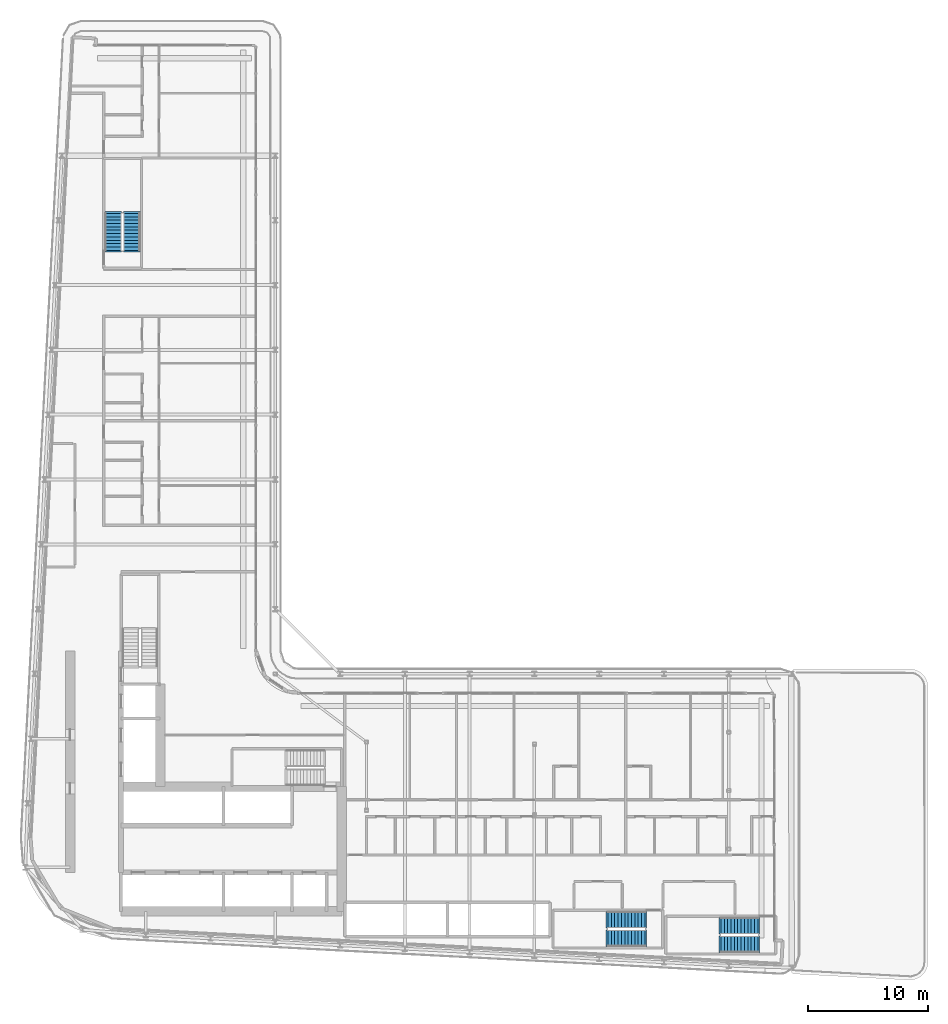
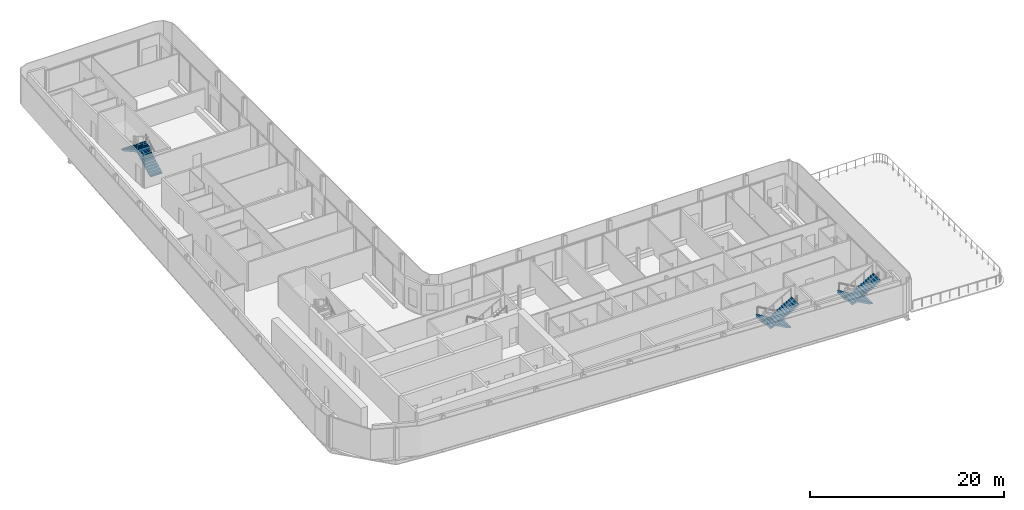
# One storey, part 19 of 27: 6 stair flights, 3 elements without a shape of their own.
"""IFC4 building model written with IfcOpenShell, lengths in metres."""

from ifc_helpers import new_model, si_unit, direction, frame, origin, place, context, subcontext, project, spatial, polyline, outline, extrude, material, layer, layer_set, type_object, element, aggregate, save


model = new_model("IFC4")

# Units and contexts
model_context = context("Model", 3, precision=1e-05, world=origin(), true_north=direction((0.0, 1.0)))
body_context = subcontext(model_context, "Body", "Model", "MODEL_VIEW")
ifc_project = project(units=[si_unit("LENGTHUNIT", "METRE"), si_unit("AREAUNIT", "SQUARE_METRE"), si_unit("VOLUMEUNIT", "CUBIC_METRE"), si_unit("PLANEANGLEUNIT", "RADIAN"), si_unit("MASSUNIT", "GRAM", prefix="KILO")], contexts=[model_context])

# Site, building, storey
site_placement = place(None, origin())
site = spatial("IfcSite", under=ifc_project, at=site_placement, CompositionType="ELEMENT")
building_placement = place(site_placement, origin())
building = spatial("IfcBuilding", under=site, at=building_placement, Name="Kheshtan School and Residences Tower", CompositionType="ELEMENT")
storey_placement = place(building_placement, frame((0.0, 0.0, 152.60009765625)))
storey = spatial("IfcBuildingStorey", under=building, at=storey_placement, Name="L35", CompositionType="ELEMENT", Elevation=152.60009765625)

# Stair, stair flights
ifc_material = material(Name="Concrete C40/50", Category="concrete")
stair_type = type_object("IfcStairType", Name="Exit stair, half-turn", PredefinedType="HALF_TURN_STAIR", material=ifc_material)
stair_1_placement = place(storey_placement, origin())
stair_1 = element("IfcStair", 1, at=stair_1_placement, inside=storey, type_object=stair_type, Name="L35 Protected Exit Stair ST3", PredefinedType="HALF_TURN_STAIR")
ifc_layer = layer(ifc_material, 0.14990234375)
ifc_layer_set = layer_set([ifc_layer], Name="Stair flight 1400 Concrete C40/50")
stair_flight_type = type_object("IfcStairFlightType", Name="Stair flight 1400 Concrete C40/50", PredefinedType="STRAIGHT", material=ifc_layer_set)
stair_flight_1_placement = place(storey_placement, frame((35.64990234375, 80.89990234375, 0.0), z_axis=(0.0, 0.0, 1.0), x_axis=(0.0, 1.0, 0.0)))
stair_flight_1 = element("IfcStairFlight", 2, at=stair_flight_1_placement, type_object=stair_flight_type, Name="ST3 flight 1", NumberOfRisers=12, NumberOfTreads=11, PredefinedType="STRAIGHT", RiserHeight=0.1625, TreadLength=0.28, context=body_context, shape_type="SweptSolid", body=[
    extrude(outline(polyline([(-0.14990234375, -0.10009765625), (-0.14990234375, 0.0), (0.0, 0.0), (0.0, 0.16259765625), (0.280029296875, 0.16259765625), (0.280029296875, 0.324951171875), (0.56005859375, 0.324951171875), (0.56005859375, 0.487548828125), (0.840087890625, 0.487548828125), (0.840087890625, 0.64990234375), (1.1201171875, 0.64990234375), (1.1201171875, 0.8125), (1.39990234375, 0.8125), (1.39990234375, 0.97509765625), (1.679931640625, 0.97509765625), (1.679931640625, 1.137451171875), (1.9599609375, 1.137451171875), (1.9599609375, 1.300048828125), (2.239990234375, 1.300048828125), (2.239990234375, 1.46240234375), (2.52001953125, 1.46240234375), (2.52001953125, 1.625), (2.800048828125, 1.625), (2.800048828125, 1.78759765625), (3.080078125, 1.78759765625), (3.080078125, 1.949951171875), (3.080078125, 1.969970703125), (3.22998046875, 1.969970703125), (3.22998046875, 1.6142578125), (0.298583984375, 0.0), (-0.14990234375, -0.10009765625)])), frame((0.0, 0.699951171875, 0.0), z_axis=(0.0, -1.0, 0.0), x_axis=(1.0, 0.0, 0.0)), (0.0, 0.0, 1.0), 1.39990234375),
])
stair_flight_2_placement = place(storey_placement, frame((34.10009765625, 83.97998046875, 1.949951171875), z_axis=(0.0, 0.0, 1.0), x_axis=(0.0, -1.0, 0.0)))
stair_flight_2 = element("IfcStairFlight", 3, at=stair_flight_2_placement, type_object=stair_flight_type, Name="ST3 flight 2", NumberOfRisers=12, NumberOfTreads=11, PredefinedType="STRAIGHT", RiserHeight=0.1625, TreadLength=0.28, context=body_context, shape_type="SweptSolid", body=[
    extrude(outline(polyline([(-0.14990234375, -0.10009765625), (-0.14990234375, 0.0), (0.0, 0.0), (0.0, 0.16259765625), (0.280029296875, 0.16259765625), (0.280029296875, 0.324951171875), (0.56005859375, 0.324951171875), (0.56005859375, 0.487548828125), (0.840087890625, 0.487548828125), (0.840087890625, 0.64990234375), (1.1201171875, 0.64990234375), (1.1201171875, 0.8125), (1.39990234375, 0.8125), (1.39990234375, 0.97509765625), (1.679931640625, 0.97509765625), (1.679931640625, 1.137451171875), (1.9599609375, 1.137451171875), (1.9599609375, 1.300048828125), (2.239990234375, 1.300048828125), (2.239990234375, 1.46240234375), (2.52001953125, 1.46240234375), (2.52001953125, 1.625), (2.800048828125, 1.625), (2.800048828125, 1.78759765625), (3.080078125, 1.78759765625), (3.080078125, 1.949951171875), (3.080078125, 1.969970703125), (3.22998046875, 1.969970703125), (3.22998046875, 1.6142578125), (0.298583984375, 0.0), (-0.14990234375, -0.10009765625)])), frame((0.0, 0.699951171875, 0.0), z_axis=(0.0, -1.0, 0.0), x_axis=(1.0, 0.0, 0.0)), (0.0, 0.0, 1.0), 1.39990234375),
])
aggregate(stair_1, [stair_flight_1, stair_flight_2])

stair_2_placement = place(storey_placement, origin())
stair_2 = element("IfcStair", 4, at=stair_2_placement, inside=storey, type_object=stair_type, Name="L35 Protected Exit Stair ST4", PredefinedType="HALF_TURN_STAIR")
stair_flight_3_placement = place(storey_placement, frame((87.820068359375, 24.60009765625, 0.0), z_axis=(0.0, 0.0, 1.0), x_axis=(-1.0, 0.0, 0.0)))
stair_flight_3 = element("IfcStairFlight", 5, at=stair_flight_3_placement, type_object=stair_flight_type, Name="ST4 flight 1", NumberOfRisers=12, NumberOfTreads=11, PredefinedType="STRAIGHT", RiserHeight=0.1625, TreadLength=0.28, context=body_context, shape_type="SweptSolid", body=[
    extrude(outline(polyline([(-0.14990234375, -0.10009765625), (-0.14990234375, 0.0), (0.0, 0.0), (0.0, 0.16259765625), (0.280029296875, 0.16259765625), (0.280029296875, 0.324951171875), (0.56005859375, 0.324951171875), (0.56005859375, 0.487548828125), (0.840087890625, 0.487548828125), (0.840087890625, 0.64990234375), (1.1201171875, 0.64990234375), (1.1201171875, 0.8125), (1.39990234375, 0.8125), (1.39990234375, 0.97509765625), (1.679931640625, 0.97509765625), (1.679931640625, 1.137451171875), (1.9599609375, 1.137451171875), (1.9599609375, 1.300048828125), (2.239990234375, 1.300048828125), (2.239990234375, 1.46240234375), (2.52001953125, 1.46240234375), (2.52001953125, 1.625), (2.800048828125, 1.625), (2.800048828125, 1.78759765625), (3.080078125, 1.78759765625), (3.080078125, 1.949951171875), (3.080078125, 1.969970703125), (3.22998046875, 1.969970703125), (3.22998046875, 1.6142578125), (0.298583984375, 0.0), (-0.14990234375, -0.10009765625)])), frame((0.0, 0.699951171875, 0.0), z_axis=(0.0, -1.0, 0.0), x_axis=(1.0, 0.0, 0.0)), (0.0, 0.0, 1.0), 1.39990234375),
])
stair_flight_4_placement = place(storey_placement, frame((84.739990234375, 23.050048828125, 1.949951171875), z_axis=(0.0, 0.0, 1.0), x_axis=(1.0, 0.0, 0.0)))
stair_flight_4 = element("IfcStairFlight", 6, at=stair_flight_4_placement, type_object=stair_flight_type, Name="ST4 flight 2", NumberOfRisers=12, NumberOfTreads=11, PredefinedType="STRAIGHT", RiserHeight=0.1625, TreadLength=0.28, context=body_context, shape_type="SweptSolid", body=[
    extrude(outline(polyline([(-0.14990234375, -0.10009765625), (-0.14990234375, 0.0), (0.0, 0.0), (0.0, 0.16259765625), (0.280029296875, 0.16259765625), (0.280029296875, 0.324951171875), (0.56005859375, 0.324951171875), (0.56005859375, 0.487548828125), (0.840087890625, 0.487548828125), (0.840087890625, 0.64990234375), (1.1201171875, 0.64990234375), (1.1201171875, 0.8125), (1.39990234375, 0.8125), (1.39990234375, 0.97509765625), (1.679931640625, 0.97509765625), (1.679931640625, 1.137451171875), (1.9599609375, 1.137451171875), (1.9599609375, 1.300048828125), (2.239990234375, 1.300048828125), (2.239990234375, 1.46240234375), (2.52001953125, 1.46240234375), (2.52001953125, 1.625), (2.800048828125, 1.625), (2.800048828125, 1.78759765625), (3.080078125, 1.78759765625), (3.080078125, 1.949951171875), (3.080078125, 1.969970703125), (3.22998046875, 1.969970703125), (3.22998046875, 1.6142578125), (0.298583984375, 0.0), (-0.14990234375, -0.10009765625)])), frame((0.0, 0.699951171875, 0.0), z_axis=(0.0, -1.0, 0.0), x_axis=(1.0, 0.0, 0.0)), (0.0, 0.0, 1.0), 1.39990234375),
])
aggregate(stair_2, [stair_flight_3, stair_flight_4])

stair_3_placement = place(storey_placement, origin())
stair_3 = element("IfcStair", 7, at=stair_3_placement, inside=storey, type_object=stair_type, Name="L35 Protected Exit Stair ST5", PredefinedType="HALF_TURN_STAIR")
stair_flight_5_placement = place(storey_placement, frame((78.409912109375, 25.10009765625, 0.0), z_axis=(0.0, 0.0, 1.0), x_axis=(-1.0, 0.0, 0.0)))
stair_flight_5 = element("IfcStairFlight", 8, at=stair_flight_5_placement, type_object=stair_flight_type, Name="ST5 flight 1", NumberOfRisers=12, NumberOfTreads=11, PredefinedType="STRAIGHT", RiserHeight=0.1625, TreadLength=0.28, context=body_context, shape_type="SweptSolid", body=[
    extrude(outline(polyline([(-0.14990234375, -0.10009765625), (-0.14990234375, 0.0), (0.0, 0.0), (0.0, 0.16259765625), (0.280029296875, 0.16259765625), (0.280029296875, 0.324951171875), (0.56005859375, 0.324951171875), (0.56005859375, 0.487548828125), (0.840087890625, 0.487548828125), (0.840087890625, 0.64990234375), (1.1201171875, 0.64990234375), (1.1201171875, 0.8125), (1.39990234375, 0.8125), (1.39990234375, 0.97509765625), (1.679931640625, 0.97509765625), (1.679931640625, 1.137451171875), (1.9599609375, 1.137451171875), (1.9599609375, 1.300048828125), (2.239990234375, 1.300048828125), (2.239990234375, 1.46240234375), (2.52001953125, 1.46240234375), (2.52001953125, 1.625), (2.800048828125, 1.625), (2.800048828125, 1.78759765625), (3.080078125, 1.78759765625), (3.080078125, 1.949951171875), (3.080078125, 1.969970703125), (3.22998046875, 1.969970703125), (3.22998046875, 1.6142578125), (0.298583984375, 0.0), (-0.14990234375, -0.10009765625)])), frame((0.0, 0.699951171875, 0.0), z_axis=(0.0, -1.0, 0.0), x_axis=(1.0, 0.0, 0.0)), (0.0, 0.0, 1.0), 1.39990234375),
])
stair_flight_6_placement = place(storey_placement, frame((75.330078125, 23.550048828125, 1.949951171875), z_axis=(0.0, 0.0, 1.0), x_axis=(1.0, 0.0, 0.0)))
stair_flight_6 = element("IfcStairFlight", 9, at=stair_flight_6_placement, type_object=stair_flight_type, Name="ST5 flight 2", NumberOfRisers=12, NumberOfTreads=11, PredefinedType="STRAIGHT", RiserHeight=0.1625, TreadLength=0.28, context=body_context, shape_type="SweptSolid", body=[
    extrude(outline(polyline([(-0.14990234375, -0.10009765625), (-0.14990234375, 0.0), (0.0, 0.0), (0.0, 0.16259765625), (0.280029296875, 0.16259765625), (0.280029296875, 0.324951171875), (0.56005859375, 0.324951171875), (0.56005859375, 0.487548828125), (0.840087890625, 0.487548828125), (0.840087890625, 0.64990234375), (1.1201171875, 0.64990234375), (1.1201171875, 0.8125), (1.39990234375, 0.8125), (1.39990234375, 0.97509765625), (1.679931640625, 0.97509765625), (1.679931640625, 1.137451171875), (1.9599609375, 1.137451171875), (1.9599609375, 1.300048828125), (2.239990234375, 1.300048828125), (2.239990234375, 1.46240234375), (2.52001953125, 1.46240234375), (2.52001953125, 1.625), (2.800048828125, 1.625), (2.800048828125, 1.78759765625), (3.080078125, 1.78759765625), (3.080078125, 1.949951171875), (3.080078125, 1.969970703125), (3.22998046875, 1.969970703125), (3.22998046875, 1.6142578125), (0.298583984375, 0.0), (-0.14990234375, -0.10009765625)])), frame((0.0, 0.699951171875, 0.0), z_axis=(0.0, -1.0, 0.0), x_axis=(1.0, 0.0, 0.0)), (0.0, 0.0, 1.0), 1.39990234375),
])
aggregate(stair_3, [stair_flight_5, stair_flight_6])

save(model, "model.ifc")
